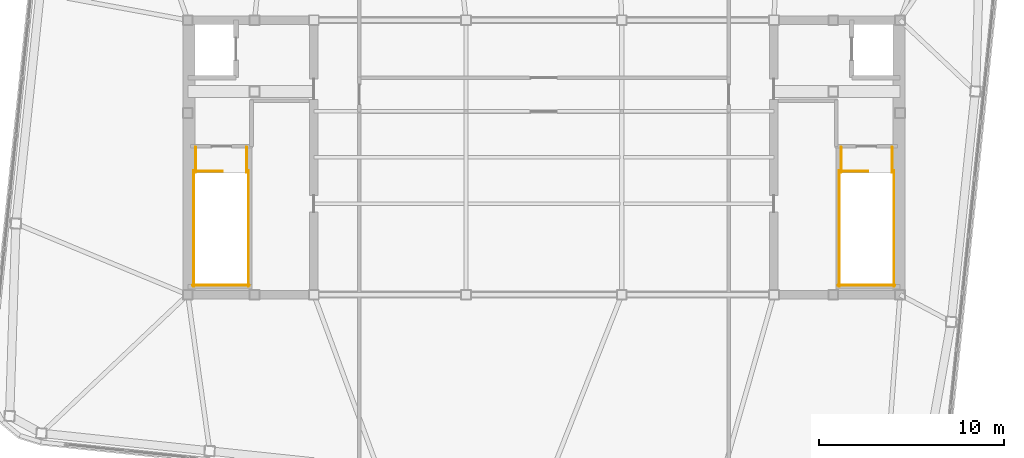
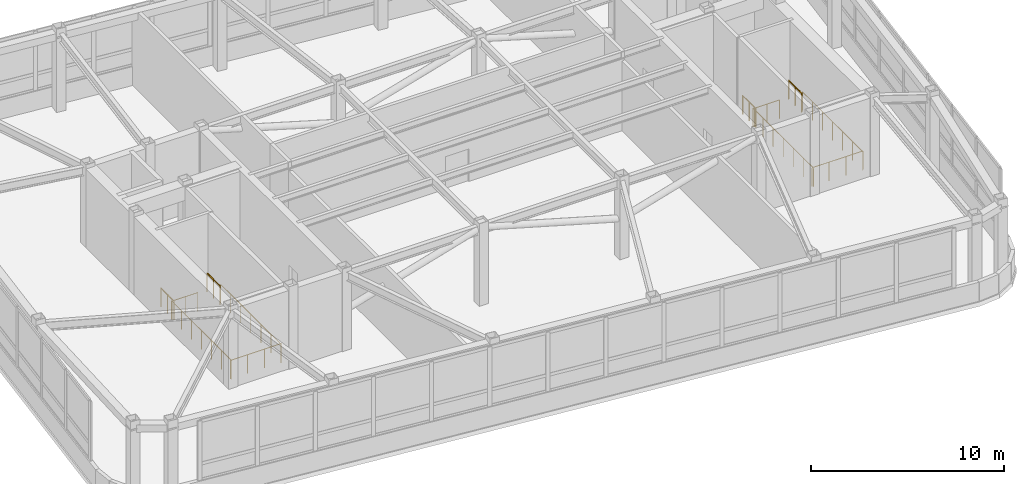
# One storey, part 21 of 21: 12 railings.
"""IFC4 building model written with IfcOpenShell, lengths in metres."""

import ifcopenshell
import ifcopenshell.guid

model = None  # the IFC model being written
_history = None  # IfcOwnerHistory: only IFC2X3 demands one
_inside = {}  # id of a spatial element -> (the spatial element, [elements in it])
_under = {}  # id of a project, library or spatial element -> (it, [spatial elements below it])
_declared = {}  # id of a project -> (the project, [libraries it declares])
_typed = {}  # id of a type object -> (the type object, [elements of that type])
_made_of = {}  # id of a material, layer set ... -> (it, [elements and type objects made of it])


def new_model(schema):
    """Start an empty IFC model of exactly this schema.

    Asked for "IFC4X3", IfcOpenShell would pick the latest addendum, in which some entities
    have other attributes; the version numbers below select the first issue.
    IFC2X3 requires an IfcOwnerHistory on every rooted entity: one is made here for all.
    """
    global model, _history
    if schema == "IFC4X3":
        model = ifcopenshell.file(schema_version=(4, 3, 0, 0))
    else:
        model = ifcopenshell.file(schema=schema)
    _inside.clear()
    _under.clear()
    _declared.clear()
    _typed.clear()
    _made_of.clear()
    _history = None
    if model.schema == "IFC2X3":
        org = make("IfcOrganization", Name="unknown")
        user = make(
            "IfcPersonAndOrganization",
            ThePerson=make("IfcPerson", FamilyName="unknown"),
            TheOrganization=org,
        )
        app = make(
            "IfcApplication",
            ApplicationDeveloper=org,
            Version="unknown",
            ApplicationFullName="unknown",
            ApplicationIdentifier="unknown",
        )
        _history = make(
            "IfcOwnerHistory",
            OwningUser=user,
            OwningApplication=app,
            ChangeAction="ADDED",
            CreationDate=0,
        )
    return model


def make(cls, **values):
    """One entity of the class cls with the attributes given. An attribute that is None is left unset."""
    return model.create_entity(
        cls, **{name: value for name, value in values.items() if value is not None}
    )


def rooted(cls, **values):
    """An entity with a GlobalId (a new one), such as an element, a storey or a relation."""
    return make(cls, GlobalId=ifcopenshell.guid.new(), OwnerHistory=_history, **values)


def si_unit(unit_type, name, prefix=None):
    """IfcSIUnit, for example si_unit("LENGTHUNIT", "METRE", prefix="MILLI")."""
    return make("IfcSIUnit", UnitType=unit_type, Prefix=prefix, Name=name)


def assignment(units):
    """IfcUnitAssignment: the units of a project."""
    return None if units is None else make("IfcUnitAssignment", Units=units)


def point(xyz):
    """IfcCartesianPoint."""
    return None if xyz is None else make("IfcCartesianPoint", Coordinates=xyz)


def direction(xyz):
    """IfcDirection."""
    return None if xyz is None else make("IfcDirection", DirectionRatios=xyz)


def frame(location, z_axis=None, x_axis=None):
    """IfcAxis2Placement3D, a coordinate frame: its origin and axes. An axis left out is left unset."""
    return make(
        "IfcAxis2Placement3D",
        Location=point(location),
        Axis=direction(z_axis),
        RefDirection=direction(x_axis),
    )


def frame_2d(location, x_axis=None):
    """IfcAxis2Placement2D, a coordinate frame in the plane: its origin and x axis."""
    return make(
        "IfcAxis2Placement2D", Location=point(location), RefDirection=direction(x_axis)
    )


def origin():
    """The frame at (0, 0, 0) with its axes left unset."""
    return frame((0.0, 0.0, 0.0))


def origin_2d():
    """The frame at (0, 0) in the plane with its x axis left unset."""
    return frame_2d((0.0, 0.0))


def place(relative_to, where):
    """IfcLocalPlacement: puts the frame where relative to a parent placement (None: the world)."""
    return make(
        "IfcLocalPlacement", PlacementRelTo=relative_to, RelativePlacement=where
    )


def context(
    kind, dimensions, precision=None, world=None, true_north=None, identifier=None
):
    """IfcGeometricRepresentationContext, for example the 3D "Model" context."""
    return make(
        "IfcGeometricRepresentationContext",
        ContextIdentifier=identifier,
        ContextType=kind,
        CoordinateSpaceDimension=dimensions,
        Precision=precision,
        WorldCoordinateSystem=world,
        TrueNorth=true_north,
    )


def subcontext(parent, identifier, kind, view, scale=None):
    """IfcGeometricRepresentationSubContext, for example "Body" below "Model"."""
    return make(
        "IfcGeometricRepresentationSubContext",
        ContextIdentifier=identifier,
        ContextType=kind,
        ParentContext=parent,
        TargetScale=scale,
        TargetView=view,
    )


def project(units=None, contexts=None):
    """IfcProject with its units and contexts."""
    return rooted(
        "IfcProject",
        Name="project",
        RepresentationContexts=contexts,
        UnitsInContext=assignment(units),
    )


def spatial(cls, under=None, at=None, **own):
    """A site, building, storey or space (cls), placed at a placement, below another one or the project."""
    s = rooted(cls, ObjectPlacement=at, **own)
    if under is not None:
        _under.setdefault(under.id(), (under, []))[1].append(s)
    return s


def profile(cls, at=None, kind="AREA", **sizes):
    """A parametric profile (cls). Its sizes go by their IFC names, for example OverallWidth=200.0."""
    return make(cls, ProfileType=kind, Position=at, **sizes)


def circle(**sizes):
    """IfcCircleProfileDef."""
    return profile("IfcCircleProfileDef", **sizes)


def extrude(swept, where, along, depth):
    """IfcExtrudedAreaSolid: the profile swept, set in the frame where, extruded along a direction by depth."""
    return make(
        "IfcExtrudedAreaSolid",
        SweptArea=swept,
        Position=where,
        ExtrudedDirection=direction(along),
        Depth=depth,
    )


def shape(context_of_items, identifier, shape_type, items):
    """IfcShapeRepresentation: the items that make up one representation, for example the "Body"."""
    return make(
        "IfcShapeRepresentation",
        ContextOfItems=context_of_items,
        RepresentationIdentifier=identifier,
        RepresentationType=shape_type,
        Items=items,
    )


def material(Name=None, Category=None):
    """IfcMaterial."""
    return make("IfcMaterial", Name=Name, Category=Category)


def made_of(thing, what):
    """Note that an element or type object is made of a material, layer set ...; save() writes the relation."""
    if what is not None:
        _made_of.setdefault(what.id(), (what, []))[1].append(thing)
    return thing


def type_object(cls, material=None, **own):
    """A type object (cls), such as IfcWallType, which elements share."""
    return made_of(rooted(cls, **own), material)


def element(
    cls,
    number,
    at=None,
    inside=None,
    cuts=None,
    type_object=None,
    material=None,
    context=None,
    identifier="Body",
    shape_type=None,
    held_by="IfcProductDefinitionShape",
    body=None,
    shapes=None,
    **own,
):
    """One element of the class cls, such as IfcWall. Its Tag is "e" and its number.

    at: its placement. inside: the storey or other place that contains it. cuts: it is an
    opening in that element (IfcRelVoidsElement). A single representation is given by context,
    identifier, shape_type and body (its items); several are given by shapes. held_by: the class
    of the entity that holds the representations. save() writes the other relations.
    """
    e = rooted(cls, Tag="e%d" % number, ObjectPlacement=at, **own)
    if body is not None:
        shapes = [shape(context, identifier, shape_type, body)]
    if shapes is not None:
        e.Representation = make(held_by, Representations=shapes)
    if inside is not None:
        _inside.setdefault(inside.id(), (inside, []))[1].append(e)
    if cuts is not None:
        rooted(
            "IfcRelVoidsElement", RelatingBuildingElement=cuts, RelatedOpeningElement=e
        )
    if type_object is not None:
        _typed.setdefault(type_object.id(), (type_object, []))[1].append(e)
    return made_of(e, material)


def aggregate(whole, parts):
    """IfcRelAggregates: a whole, such as a stair, and the parts it consists of."""
    return rooted("IfcRelAggregates", RelatingObject=whole, RelatedObjects=parts)


def save(model, path):
    """Write the relations noted so far, then the file.

    IfcRelAggregates (storeys below a building ...), IfcRelContainedInSpatialStructure (elements
    in a storey), IfcRelDefinesByType, IfcRelAssociatesMaterial and IfcRelDeclares: one each for
    every whole, place, type object, material and project.
    """
    for whole, parts in _under.values():
        aggregate(whole, parts)
    for where, things in _inside.values():
        rooted(
            "IfcRelContainedInSpatialStructure",
            RelatedElements=things,
            RelatingStructure=where,
        )
    for kind, things in _typed.values():
        rooted("IfcRelDefinesByType", RelatedObjects=things, RelatingType=kind)
    for what, things in _made_of.values():
        rooted("IfcRelAssociatesMaterial", RelatedObjects=things, RelatingMaterial=what)
    for by, libraries in _declared.values():
        rooted("IfcRelDeclares", RelatingContext=by, RelatedDefinitions=libraries)
    model.write(path)


model = new_model("IFC4")

# Units and contexts
model_context = context("Model", 3, precision=1e-05, world=origin(), true_north=direction((0.0, 1.0)))
body_context = subcontext(model_context, "Body", "Model", "MODEL_VIEW")
ifc_project = project(units=[si_unit("LENGTHUNIT", "METRE"), si_unit("AREAUNIT", "SQUARE_METRE"), si_unit("VOLUMEUNIT", "CUBIC_METRE"), si_unit("PLANEANGLEUNIT", "RADIAN"), si_unit("MASSUNIT", "GRAM", prefix="KILO")], contexts=[model_context])

# Site, building, storey
site_placement = place(None, origin())
site = spatial("IfcSite", under=ifc_project, at=site_placement, CompositionType="ELEMENT")
building_placement = place(site_placement, origin())
building = spatial("IfcBuilding", under=site, at=building_placement, Name="Voryun Gate Residences", CompositionType="ELEMENT")
storey_placement = place(building_placement, frame((0.0, 0.0, 337.199951171875)))
storey = spatial("IfcBuildingStorey", under=building, at=storey_placement, Name="L82", CompositionType="ELEMENT", Elevation=337.199951171875)

# Railings
ifc_material = material(Name="Painted steel", Category="steel")
railing_type = type_object("IfcRailingType", Name="RAIL_STAIR_GUARD_1200", PredefinedType="GUARDRAIL", material=ifc_material)
railing_1_placement = place(storey_placement, frame((-18.824951171875, -0.75, 0.0)))
element("IfcRailing", 1, at=railing_1_placement, inside=storey, type_object=railing_type, Name="L82 ST-W1 top well guard 1", PredefinedType="GUARDRAIL", context=body_context, shape_type="SweptSolid", body=[
    extrude(circle(Radius=0.02392578125, at=origin_2d()), frame((0.0, 0.0, 1.17578125), z_axis=(1.0, 0.0, 0.0), x_axis=(0.0, 1.0, 0.0)), (0.0, 0.0, 1.0), 1.5),
    extrude(circle(Radius=0.02099609375, at=origin_2d()), origin(), (0.0, 0.0, 1.0), 1.15185546875),
    extrude(circle(Radius=0.02099609375, at=origin_2d()), frame((0.75, 0.0, 0.0)), (0.0, 0.0, 1.0), 1.15185546875),
    extrude(circle(Radius=0.02099609375, at=origin_2d()), frame((1.5, 0.0, 0.0)), (0.0, 0.0, 1.0), 1.15185546875),
])
for number, where, name in (
    (2, (-18.875, -0.699951171875, 0.0), "L82 ST-W1 top well guard 2"),
    (3, (-15.925048828125, -0.699951171875, 0.0), "L82 ST-W1 top well guard 3"),
):
    element("IfcRailing", number, at=place(storey_placement, frame(where)), inside=storey, type_object=railing_type, Name=name, PredefinedType="GUARDRAIL", context=body_context, shape_type="SweptSolid", body=[
        extrude(circle(Radius=0.02392578125, at=origin_2d()), frame((0.0, 0.0, 1.17578125), z_axis=(0.0, -1.0, 0.0), x_axis=(1.0, 0.0, 0.0)), (0.0, 0.0, 1.0), 6.25),
        extrude(circle(Radius=0.02099609375, at=origin_2d()), origin(), (0.0, 0.0, 1.0), 1.15185546875),
        extrude(circle(Radius=0.02099609375, at=origin_2d()), frame((0.0, -1.041748046875, 0.0)), (0.0, 0.0, 1.0), 1.15185546875),
        extrude(circle(Radius=0.02099609375, at=origin_2d()), frame((0.0, -2.083251953125, 0.0)), (0.0, 0.0, 1.0), 1.15185546875),
        extrude(circle(Radius=0.02099609375, at=origin_2d()), frame((0.0, -3.125, 0.0)), (0.0, 0.0, 1.0), 1.15185546875),
        extrude(circle(Radius=0.02099609375, at=origin_2d()), frame((0.0, -4.166748046875, 0.0)), (0.0, 0.0, 1.0), 1.15185546875),
        extrude(circle(Radius=0.02099609375, at=origin_2d()), frame((0.0, -5.208251953125, 0.0)), (0.0, 0.0, 1.0), 1.15185546875),
        extrude(circle(Radius=0.02099609375, at=origin_2d()), frame((0.0, -6.25, 0.0)), (0.0, 0.0, 1.0), 1.15185546875),
    ])
railing_2_placement = place(storey_placement, frame((-18.925048828125, -6.89990234375, 0.0)))
element("IfcRailing", 4, at=railing_2_placement, inside=storey, type_object=railing_type, Name="L82 ST-W1 top well guard 4", PredefinedType="GUARDRAIL", context=body_context, shape_type="SweptSolid", body=[
    extrude(circle(Radius=0.02392578125, at=origin_2d()), frame((0.0, 0.0, 1.17578125), z_axis=(1.0, 0.0, 0.0), x_axis=(0.0, 1.0, 0.0)), (0.0, 0.0, 1.0), 3.050048828125),
    extrude(circle(Radius=0.02099609375, at=origin_2d()), origin(), (0.0, 0.0, 1.0), 1.15185546875),
    extrude(circle(Radius=0.02099609375, at=origin_2d()), frame((1.0166015625, 0.0, 0.0)), (0.0, 0.0, 1.0), 1.15185546875),
    extrude(circle(Radius=0.02099609375, at=origin_2d()), frame((2.033447265625, 0.0, 0.0)), (0.0, 0.0, 1.0), 1.15185546875),
    extrude(circle(Radius=0.02099609375, at=origin_2d()), frame((3.050048828125, 0.0, 0.0)), (0.0, 0.0, 1.0), 1.15185546875),
])
for number, where, name in (
    (5, (-18.77490234375, 0.550048828125, 0.0), "L82 ST-W1 top well guard 5"),
    (6, (-16.02490234375, 0.550048828125, 0.0), "L82 ST-W1 top well guard 6"),
):
    element("IfcRailing", number, at=place(storey_placement, frame(where)), inside=storey, type_object=railing_type, Name=name, PredefinedType="GUARDRAIL", context=body_context, shape_type="SweptSolid", body=[
        extrude(circle(Radius=0.02392578125, at=origin_2d()), frame((0.0, 0.0, 1.17578125), z_axis=(0.0, -1.0, 0.0), x_axis=(1.0, 0.0, 0.0)), (0.0, 0.0, 1.0), 1.35009765625),
        extrude(circle(Radius=0.02099609375, at=origin_2d()), origin(), (0.0, 0.0, 1.0), 1.15185546875),
        extrude(circle(Radius=0.02099609375, at=origin_2d()), frame((0.0, -0.675048828125, 0.0)), (0.0, 0.0, 1.0), 1.15185546875),
        extrude(circle(Radius=0.02099609375, at=origin_2d()), frame((0.0, -1.35009765625, 0.0)), (0.0, 0.0, 1.0), 1.15185546875),
    ])
railing_3_placement = place(storey_placement, frame((15.97509765625, -0.75, 0.0)))
element("IfcRailing", 7, at=railing_3_placement, inside=storey, type_object=railing_type, Name="L82 ST-E1 top well guard 1", PredefinedType="GUARDRAIL", context=body_context, shape_type="SweptSolid", body=[
    extrude(circle(Radius=0.02392578125, at=origin_2d()), frame((0.0, 0.0, 1.17578125), z_axis=(1.0, 0.0, 0.0), x_axis=(0.0, 1.0, 0.0)), (0.0, 0.0, 1.0), 1.5),
    extrude(circle(Radius=0.02099609375, at=origin_2d()), origin(), (0.0, 0.0, 1.0), 1.15185546875),
    extrude(circle(Radius=0.02099609375, at=origin_2d()), frame((0.75, 0.0, 0.0)), (0.0, 0.0, 1.0), 1.15185546875),
    extrude(circle(Radius=0.02099609375, at=origin_2d()), frame((1.5, 0.0, 0.0)), (0.0, 0.0, 1.0), 1.15185546875),
])
for number, where, name in (
    (8, (15.925048828125, -0.699951171875, 0.0), "L82 ST-E1 top well guard 2"),
    (9, (18.875, -0.699951171875, 0.0), "L82 ST-E1 top well guard 3"),
):
    element("IfcRailing", number, at=place(storey_placement, frame(where)), inside=storey, type_object=railing_type, Name=name, PredefinedType="GUARDRAIL", context=body_context, shape_type="SweptSolid", body=[
        extrude(circle(Radius=0.02392578125, at=origin_2d()), frame((0.0, 0.0, 1.17578125), z_axis=(0.0, -1.0, 0.0), x_axis=(1.0, 0.0, 0.0)), (0.0, 0.0, 1.0), 6.25),
        extrude(circle(Radius=0.02099609375, at=origin_2d()), origin(), (0.0, 0.0, 1.0), 1.15185546875),
        extrude(circle(Radius=0.02099609375, at=origin_2d()), frame((0.0, -1.041748046875, 0.0)), (0.0, 0.0, 1.0), 1.15185546875),
        extrude(circle(Radius=0.02099609375, at=origin_2d()), frame((0.0, -2.083251953125, 0.0)), (0.0, 0.0, 1.0), 1.15185546875),
        extrude(circle(Radius=0.02099609375, at=origin_2d()), frame((0.0, -3.125, 0.0)), (0.0, 0.0, 1.0), 1.15185546875),
        extrude(circle(Radius=0.02099609375, at=origin_2d()), frame((0.0, -4.166748046875, 0.0)), (0.0, 0.0, 1.0), 1.15185546875),
        extrude(circle(Radius=0.02099609375, at=origin_2d()), frame((0.0, -5.208251953125, 0.0)), (0.0, 0.0, 1.0), 1.15185546875),
        extrude(circle(Radius=0.02099609375, at=origin_2d()), frame((0.0, -6.25, 0.0)), (0.0, 0.0, 1.0), 1.15185546875),
    ])
railing_4_placement = place(storey_placement, frame((15.875, -6.89990234375, 0.0)))
element("IfcRailing", 10, at=railing_4_placement, inside=storey, type_object=railing_type, Name="L82 ST-E1 top well guard 4", PredefinedType="GUARDRAIL", context=body_context, shape_type="SweptSolid", body=[
    extrude(circle(Radius=0.02392578125, at=origin_2d()), frame((0.0, 0.0, 1.17578125), z_axis=(1.0, 0.0, 0.0), x_axis=(0.0, 1.0, 0.0)), (0.0, 0.0, 1.0), 3.050048828125),
    extrude(circle(Radius=0.02099609375, at=origin_2d()), origin(), (0.0, 0.0, 1.0), 1.15185546875),
    extrude(circle(Radius=0.02099609375, at=origin_2d()), frame((1.0166015625, 0.0, 0.0)), (0.0, 0.0, 1.0), 1.15185546875),
    extrude(circle(Radius=0.02099609375, at=origin_2d()), frame((2.033447265625, 0.0, 0.0)), (0.0, 0.0, 1.0), 1.15185546875),
    extrude(circle(Radius=0.02099609375, at=origin_2d()), frame((3.050048828125, 0.0, 0.0)), (0.0, 0.0, 1.0), 1.15185546875),
])
for number, where, name in (
    (11, (16.02490234375, 0.550048828125, 0.0), "L82 ST-E1 top well guard 5"),
    (12, (18.77490234375, 0.550048828125, 0.0), "L82 ST-E1 top well guard 6"),
):
    element("IfcRailing", number, at=place(storey_placement, frame(where)), inside=storey, type_object=railing_type, Name=name, PredefinedType="GUARDRAIL", context=body_context, shape_type="SweptSolid", body=[
        extrude(circle(Radius=0.02392578125, at=origin_2d()), frame((0.0, 0.0, 1.17578125), z_axis=(0.0, -1.0, 0.0), x_axis=(1.0, 0.0, 0.0)), (0.0, 0.0, 1.0), 1.35009765625),
        extrude(circle(Radius=0.02099609375, at=origin_2d()), origin(), (0.0, 0.0, 1.0), 1.15185546875),
        extrude(circle(Radius=0.02099609375, at=origin_2d()), frame((0.0, -0.675048828125, 0.0)), (0.0, 0.0, 1.0), 1.15185546875),
        extrude(circle(Radius=0.02099609375, at=origin_2d()), frame((0.0, -1.35009765625, 0.0)), (0.0, 0.0, 1.0), 1.15185546875),
    ])

save(model, "model.ifc")
